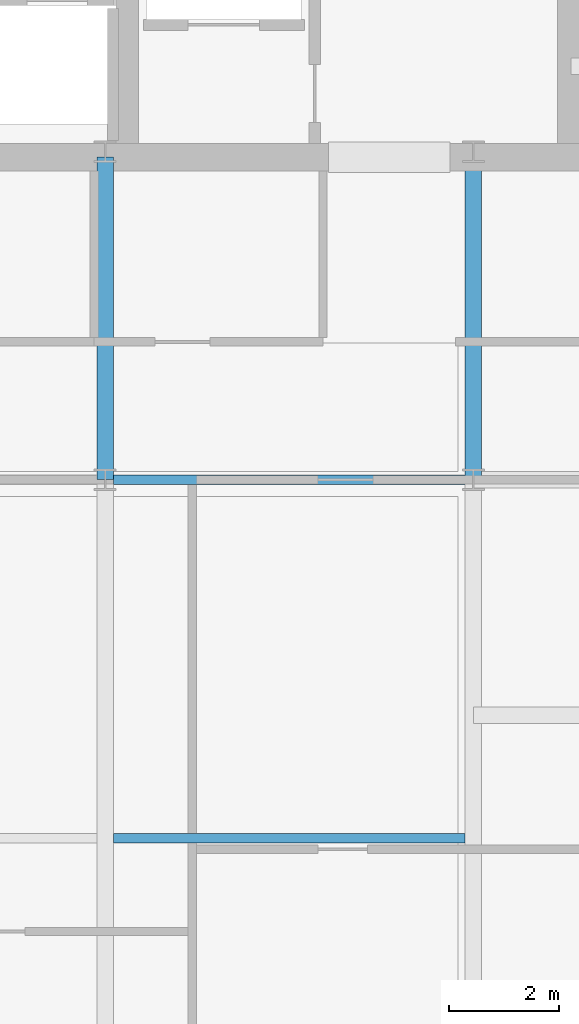
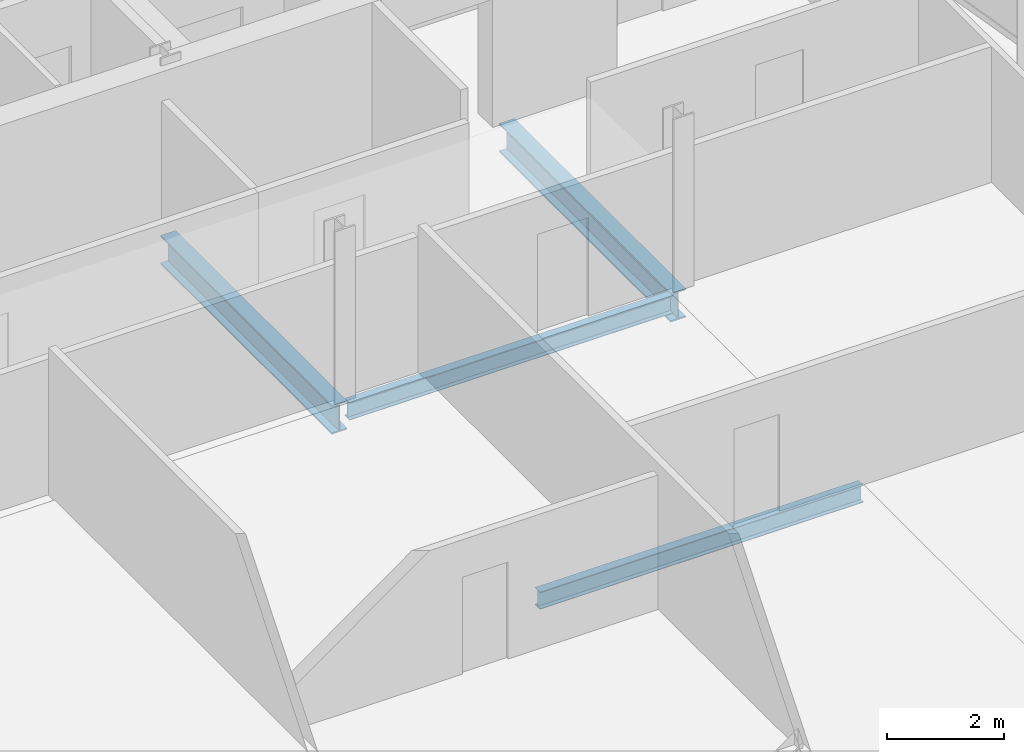
# One storey, part 17 of 29: 4 beams.
"""IFC4 building model written with IfcOpenShell, lengths in metres."""

from ifc_helpers import new_model, si_unit, direction, frame, origin, origin_2d, place, context, subcontext, project, spatial, i_section, extrude, material, material_profile, profile_set, type_object, element, save


model = new_model("IFC4")

# Units and contexts
model_context = context("Model", 3, precision=1e-05, world=origin(), true_north=direction((0.0, 1.0)))
body_context = subcontext(model_context, "Body", "Model", "MODEL_VIEW")
ifc_project = project(units=[si_unit("LENGTHUNIT", "METRE"), si_unit("AREAUNIT", "SQUARE_METRE"), si_unit("VOLUMEUNIT", "CUBIC_METRE"), si_unit("PLANEANGLEUNIT", "RADIAN"), si_unit("MASSUNIT", "GRAM", prefix="KILO")], contexts=[model_context])

# Site, building, storey
site_placement = place(None, origin())
site = spatial("IfcSite", under=ifc_project, at=site_placement, CompositionType="ELEMENT")
building_placement = place(site_placement, origin())
building = spatial("IfcBuilding", under=site, at=building_placement, Name="Khoronbel Lancet Exchange", CompositionType="ELEMENT")
storey_placement = place(building_placement, frame((0.0, 0.0, 329.0)))
storey = spatial("IfcBuildingStorey", under=building, at=storey_placement, Name="L85", CompositionType="ELEMENT", Elevation=329.0)

# Beams
ifc_material = material(Name="Steel S355", Category="steel")
ifc_material_profile_1 = material_profile(ifc_material, i_section(OverallWidth=0.300048828125, OverallDepth=0.60009765625, WebThickness=0.015380859375, FlangeThickness=0.030029296875, at=origin_2d()), Name="HEB 600")
ifc_profile_set_1 = profile_set([ifc_material_profile_1], Name="Steel S355")
beam_type_1 = type_object("IfcBeamType", Name="BM-BG5", PredefinedType="BEAM", material=ifc_profile_set_1)
for number, where, z_axis, x_axis, name in (
    (1, (48.0, 35.699951171875, -0.4599609375), (0.0, 1.0, 0.0), (-1.0, 0.0, 0.0), "Level L85 spine tie girder GN5"),
    (2, (54.675048828125, 35.699951171875, -0.4599609375), (0.0, 1.0, 0.0), (-1.0, 0.0, 0.0), "Level L85 spine tie girder GN6"),
):
    element("IfcBeam", number, at=place(storey_placement, frame(where, z_axis=z_axis, x_axis=x_axis)), inside=storey, type_object=beam_type_1, Name=name, PredefinedType="BEAM", context=body_context, shape_type="SweptSolid", body=[
        extrude(i_section(OverallWidth=0.300048828125, OverallDepth=0.60009765625, WebThickness=0.015380859375, FlangeThickness=0.030029296875, at=origin_2d()), origin(), (0.0, 0.0, 1.0), 5.85009765625),
    ])
ifc_material_profile_2 = material_profile(ifc_material, i_section(OverallWidth=0.169921875, OverallDepth=0.360107421875, WebThickness=0.008056640625, FlangeThickness=0.0126953125, at=origin_2d()), Name="IPE 360")
ifc_profile_set_2 = profile_set([ifc_material_profile_2], Name="Steel S355")
beam_type_2 = type_object("IfcBeamType", Name="BM-BJ6", PredefinedType="JOIST", material=ifc_profile_set_2)
for number, where, z_axis, x_axis, name in (
    (3, (48.14990234375, 29.199951171875, -0.340087890625), (1.0, 0.0, 0.0), (0.0, 1.0, 0.0), "Level L85 secondary composite joist J09"),
    (4, (48.14990234375, 35.699951171875, -0.340087890625), (1.0, 0.0, 0.0), (0.0, 1.0, 0.0), "Level L85 secondary composite joist J12"),
):
    element("IfcBeam", number, at=place(storey_placement, frame(where, z_axis=z_axis, x_axis=x_axis)), inside=storey, type_object=beam_type_2, Name=name, PredefinedType="JOIST", context=body_context, shape_type="SweptSolid", body=[
        extrude(i_section(OverallWidth=0.169921875, OverallDepth=0.360107421875, WebThickness=0.008056640625, FlangeThickness=0.0126953125, at=origin_2d()), origin(), (0.0, 0.0, 1.0), 6.375),
    ])

save(model, "model.ifc")
